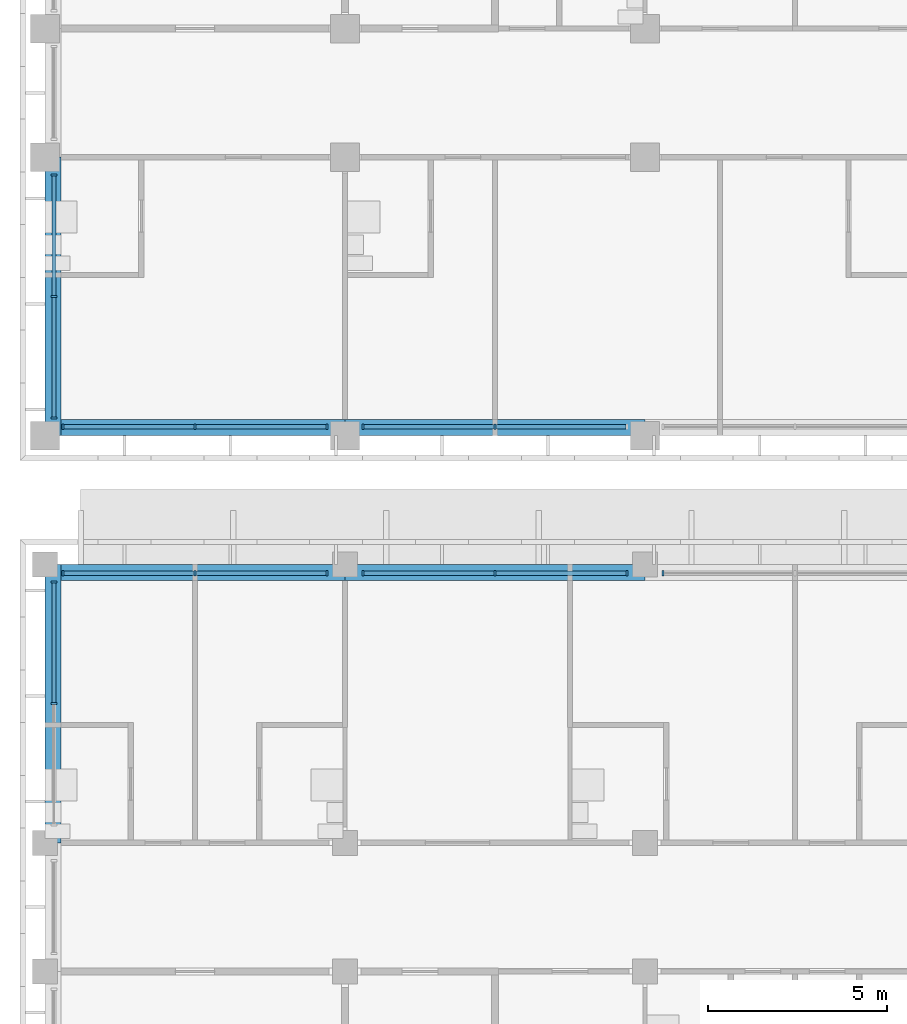
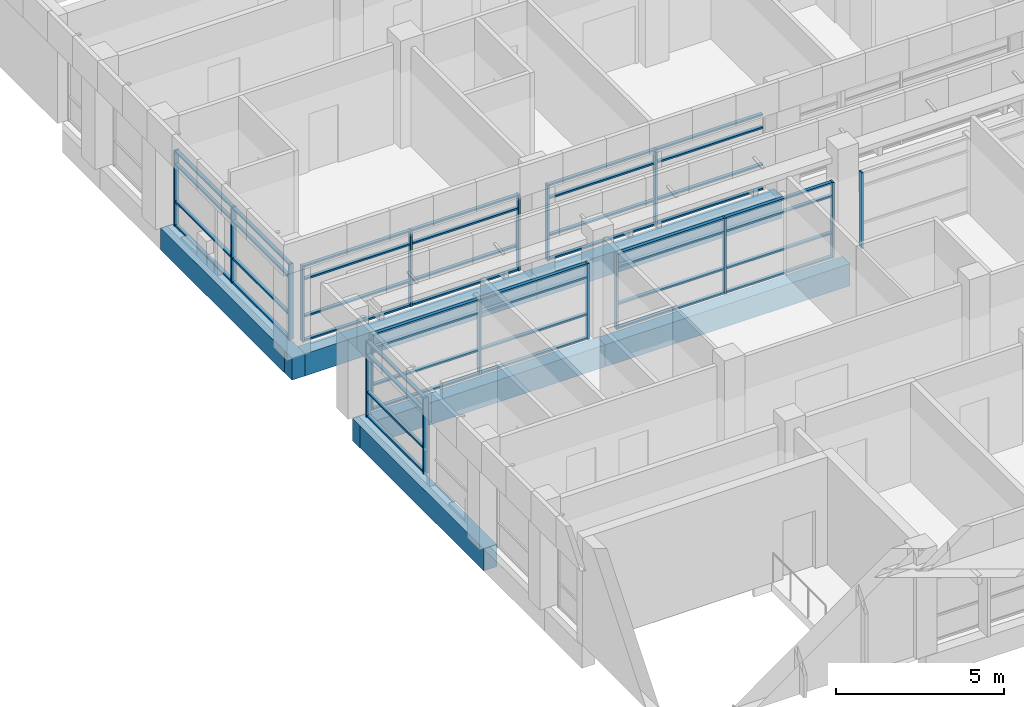
# One storey, part 4 of 71: 61 members, 6 beams, 7 elements without a shape of their own.
"""IFC4 building model written with IfcOpenShell, lengths in metres."""

from ifc_helpers import new_model, si_unit, direction, frame, origin, origin_2d, place, context, subcontext, project, spatial, rectangle, extrude, material, material_profile, profile_set, type_object, element, aggregate, save


model = new_model("IFC4")

# Units and contexts
model_context = context("Model", 3, precision=1e-05, world=origin(), true_north=direction((0.0, 1.0)))
body_context = subcontext(model_context, "Body", "Model", "MODEL_VIEW")
ifc_project = project(units=[si_unit("LENGTHUNIT", "METRE"), si_unit("AREAUNIT", "SQUARE_METRE"), si_unit("VOLUMEUNIT", "CUBIC_METRE"), si_unit("PLANEANGLEUNIT", "RADIAN"), si_unit("MASSUNIT", "GRAM", prefix="KILO")], contexts=[model_context])

# Site, building, storey
site_placement = place(None, origin())
site = spatial("IfcSite", under=ifc_project, at=site_placement, CompositionType="ELEMENT")
building_placement = place(site_placement, origin())
building = spatial("IfcBuilding", under=site, at=building_placement, Name="Bougainvillea Quay General Hospital", CompositionType="ELEMENT")
storey_placement = place(building_placement, frame((0.0, 0.0, 24.89990234375)))
storey = spatial("IfcBuildingStorey", under=building, at=storey_placement, Name="L05", CompositionType="ELEMENT", Elevation=24.89990234375)

# Curtain wall, members
ifc_material_1 = material(Name="Aluminium curtain wall system, powder-coated glazed", Category="aluminium")
curtain_wall_type_1 = type_object("IfcCurtainWallType", Name="Unitised curtain wall CW-3430", PredefinedType="NOTDEFINED", material=ifc_material_1)
curtain_wall_1_placement = place(storey_placement, origin())
curtain_wall_1 = element("IfcCurtainWall", 1, at=curtain_wall_1_placement, inside=storey, type_object=curtain_wall_type_1, Name="CW-4200 02", PredefinedType="NOTDEFINED")
ifc_material_2 = material(Name="Aluminium mullion, powder-coated charcoal", Category="aluminium")
ifc_material_profile_1 = material_profile(ifc_material_2, rectangle(XDim=0.159912109375, YDim=0.06005859375, at=origin_2d()))
ifc_profile_set_1 = profile_set([ifc_material_profile_1], Name="Aluminium mullion, powder-coated charcoal")
member_type_1 = type_object("IfcMemberType", Name="Curtain wall mullion 160x60", PredefinedType="MULLION", material=ifc_profile_set_1)
member_1_placement = place(storey_placement, frame((42.25, 147.699951171875, 0.0), z_axis=(0.0, 0.0, 1.0), x_axis=(1.0, 0.0, 0.0)))
member_1 = element("IfcMember", 2, at=member_1_placement, type_object=member_type_1, Name="CW-4200 mullion 1", PredefinedType="MULLION", context=body_context, shape_type="SweptSolid", body=[
    extrude(rectangle(XDim=0.159912109375, YDim=0.06005859375, at=origin_2d()), origin(), (0.0, 0.0, 1.0), 2.75),
])
member_2_placement = place(storey_placement, frame((42.25, 144.300048828125, 0.0), z_axis=(0.0, 0.0, 1.0), x_axis=(1.0, 0.0, 0.0)))
member_2 = element("IfcMember", 3, at=member_2_placement, type_object=member_type_1, Name="CW-4200 mullion 2", PredefinedType="MULLION", context=body_context, shape_type="SweptSolid", body=[
    extrude(rectangle(XDim=0.159912109375, YDim=0.06005859375, at=origin_2d()), origin(), (0.0, 0.0, 1.0), 2.75),
])
member_3_placement = place(storey_placement, frame((42.25, 140.89990234375, 0.0), z_axis=(0.0, 0.0, 1.0), x_axis=(1.0, 0.0, 0.0)))
member_3 = element("IfcMember", 4, at=member_3_placement, type_object=member_type_1, Name="CW-4200 mullion 3", PredefinedType="MULLION", context=body_context, shape_type="SweptSolid", body=[
    extrude(rectangle(XDim=0.159912109375, YDim=0.06005859375, at=origin_2d()), origin(), (0.0, 0.0, 1.0), 2.75),
])

curtain_wall_type_2 = type_object("IfcCurtainWallType", Name="Unitised curtain wall CW-3730", PredefinedType="NOTDEFINED", material=ifc_material_1)
curtain_wall_2_placement = place(storey_placement, origin())
curtain_wall_2 = element("IfcCurtainWall", 5, at=curtain_wall_2_placement, inside=storey, type_object=curtain_wall_type_2, Name="CW-4200 00", PredefinedType="NOTDEFINED")
member_4_placement = place(storey_placement, frame((42.5, 140.64990234375, 0.0), z_axis=(0.0, 0.0, 1.0), x_axis=(0.0, 1.0, 0.0)))
member_4 = element("IfcMember", 6, at=member_4_placement, type_object=member_type_1, Name="CW-4200 mullion 1", PredefinedType="MULLION", context=body_context, shape_type="SweptSolid", body=[
    extrude(rectangle(XDim=0.159912109375, YDim=0.06005859375, at=origin_2d()), origin(), (0.0, 0.0, 1.0), 2.75),
])
member_5_placement = place(storey_placement, frame((46.199951171875, 140.64990234375, 0.0), z_axis=(0.0, 0.0, 1.0), x_axis=(0.0, 1.0, 0.0)))
member_5 = element("IfcMember", 7, at=member_5_placement, type_object=member_type_1, Name="CW-4200 mullion 2", PredefinedType="MULLION", context=body_context, shape_type="SweptSolid", body=[
    extrude(rectangle(XDim=0.159912109375, YDim=0.06005859375, at=origin_2d()), origin(), (0.0, 0.0, 1.0), 2.75),
])
member_6_placement = place(storey_placement, frame((49.89990234375, 140.64990234375, 0.0), z_axis=(0.0, 0.0, 1.0), x_axis=(0.0, 1.0, 0.0)))
member_6 = element("IfcMember", 8, at=member_6_placement, type_object=member_type_1, Name="CW-4200 mullion 3", PredefinedType="MULLION", context=body_context, shape_type="SweptSolid", body=[
    extrude(rectangle(XDim=0.159912109375, YDim=0.06005859375, at=origin_2d()), origin(), (0.0, 0.0, 1.0), 2.75),
])

curtain_wall_3_placement = place(storey_placement, origin())
curtain_wall_3 = element("IfcCurtainWall", 9, at=curtain_wall_3_placement, inside=storey, type_object=curtain_wall_type_2, Name="CW-4200 01", PredefinedType="NOTDEFINED")
member_7_placement = place(storey_placement, frame((50.89990234375, 140.64990234375, 0.0), z_axis=(0.0, 0.0, 1.0), x_axis=(0.0, 1.0, 0.0)))
member_7 = element("IfcMember", 10, at=member_7_placement, type_object=member_type_1, Name="CW-4200 mullion 1", PredefinedType="MULLION", context=body_context, shape_type="SweptSolid", body=[
    extrude(rectangle(XDim=0.159912109375, YDim=0.06005859375, at=origin_2d()), origin(), (0.0, 0.0, 1.0), 2.75),
])
member_8_placement = place(storey_placement, frame((54.60009765625, 140.64990234375, 0.0), z_axis=(0.0, 0.0, 1.0), x_axis=(0.0, 1.0, 0.0)))
member_8 = element("IfcMember", 11, at=member_8_placement, type_object=member_type_1, Name="CW-4200 mullion 2", PredefinedType="MULLION", context=body_context, shape_type="SweptSolid", body=[
    extrude(rectangle(XDim=0.159912109375, YDim=0.06005859375, at=origin_2d()), origin(), (0.0, 0.0, 1.0), 2.75),
])

curtain_wall_4_placement = place(storey_placement, origin())
curtain_wall_4 = element("IfcCurtainWall", 12, at=curtain_wall_4_placement, inside=storey, type_object=curtain_wall_type_1, Name="CW-4200 00", PredefinedType="NOTDEFINED")
member_9_placement = place(storey_placement, frame((42.25, 136.300048828125, 0.0), z_axis=(0.0, 0.0, 1.0), x_axis=(1.0, 0.0, 0.0)))
member_9 = element("IfcMember", 13, at=member_9_placement, type_object=member_type_1, Name="CW-4200 mullion 1", PredefinedType="MULLION", context=body_context, shape_type="SweptSolid", body=[
    extrude(rectangle(XDim=0.159912109375, YDim=0.06005859375, at=origin_2d()), origin(), (0.0, 0.0, 1.0), 2.75),
])
member_10_placement = place(storey_placement, frame((42.25, 132.89990234375, 0.0), z_axis=(0.0, 0.0, 1.0), x_axis=(1.0, 0.0, 0.0)))
member_10 = element("IfcMember", 14, at=member_10_placement, type_object=member_type_1, Name="CW-4200 mullion 2", PredefinedType="MULLION", context=body_context, shape_type="SweptSolid", body=[
    extrude(rectangle(XDim=0.159912109375, YDim=0.06005859375, at=origin_2d()), origin(), (0.0, 0.0, 1.0), 2.75),
])

# Curtain wall, member
curtain_wall_5_placement = place(storey_placement, origin())
curtain_wall_5 = element("IfcCurtainWall", 15, at=curtain_wall_5_placement, inside=storey, type_object=curtain_wall_type_2, Name="CW-4200 00", PredefinedType="NOTDEFINED")
member_11_placement = place(storey_placement, frame((59.300048828125, 136.550048828125, 0.0), z_axis=(0.0, 0.0, 1.0), x_axis=(0.0, -1.0, 0.0)))
member_11 = element("IfcMember", 16, at=member_11_placement, type_object=member_type_1, Name="CW-4200 mullion 3", PredefinedType="MULLION", context=body_context, shape_type="SweptSolid", body=[
    extrude(rectangle(XDim=0.159912109375, YDim=0.06005859375, at=origin_2d()), origin(), (0.0, 0.0, 1.0), 2.75),
])
aggregate(curtain_wall_5, [member_11])

# Curtain wall, members
curtain_wall_6_placement = place(storey_placement, origin())
curtain_wall_6 = element("IfcCurtainWall", 17, at=curtain_wall_6_placement, inside=storey, type_object=curtain_wall_type_2, Name="CW-4200 01", PredefinedType="NOTDEFINED")
member_12_placement = place(storey_placement, frame((58.300048828125, 136.550048828125, 0.0), z_axis=(0.0, 0.0, 1.0), x_axis=(0.0, -1.0, 0.0)))
member_12 = element("IfcMember", 18, at=member_12_placement, type_object=member_type_1, Name="CW-4200 mullion 1", PredefinedType="MULLION", context=body_context, shape_type="SweptSolid", body=[
    extrude(rectangle(XDim=0.159912109375, YDim=0.06005859375, at=origin_2d()), origin(), (0.0, 0.0, 1.0), 2.75),
])
member_13_placement = place(storey_placement, frame((54.60009765625, 136.550048828125, 0.0), z_axis=(0.0, 0.0, 1.0), x_axis=(0.0, -1.0, 0.0)))
member_13 = element("IfcMember", 19, at=member_13_placement, type_object=member_type_1, Name="CW-4200 mullion 2", PredefinedType="MULLION", context=body_context, shape_type="SweptSolid", body=[
    extrude(rectangle(XDim=0.159912109375, YDim=0.06005859375, at=origin_2d()), origin(), (0.0, 0.0, 1.0), 2.75),
])
member_14_placement = place(storey_placement, frame((50.89990234375, 136.550048828125, 0.0), z_axis=(0.0, 0.0, 1.0), x_axis=(0.0, -1.0, 0.0)))
member_14 = element("IfcMember", 20, at=member_14_placement, type_object=member_type_1, Name="CW-4200 mullion 3", PredefinedType="MULLION", context=body_context, shape_type="SweptSolid", body=[
    extrude(rectangle(XDim=0.159912109375, YDim=0.06005859375, at=origin_2d()), origin(), (0.0, 0.0, 1.0), 2.75),
])

curtain_wall_7_placement = place(storey_placement, origin())
curtain_wall_7 = element("IfcCurtainWall", 21, at=curtain_wall_7_placement, inside=storey, type_object=curtain_wall_type_2, Name="CW-4200 02", PredefinedType="NOTDEFINED")
member_15_placement = place(storey_placement, frame((49.89990234375, 136.550048828125, 0.0), z_axis=(0.0, 0.0, 1.0), x_axis=(0.0, -1.0, 0.0)))
member_15 = element("IfcMember", 22, at=member_15_placement, type_object=member_type_1, Name="CW-4200 mullion 1", PredefinedType="MULLION", context=body_context, shape_type="SweptSolid", body=[
    extrude(rectangle(XDim=0.159912109375, YDim=0.06005859375, at=origin_2d()), origin(), (0.0, 0.0, 1.0), 2.75),
])
member_16_placement = place(storey_placement, frame((46.199951171875, 136.550048828125, 0.0), z_axis=(0.0, 0.0, 1.0), x_axis=(0.0, -1.0, 0.0)))
member_16 = element("IfcMember", 23, at=member_16_placement, type_object=member_type_1, Name="CW-4200 mullion 2", PredefinedType="MULLION", context=body_context, shape_type="SweptSolid", body=[
    extrude(rectangle(XDim=0.159912109375, YDim=0.06005859375, at=origin_2d()), origin(), (0.0, 0.0, 1.0), 2.75),
])
member_17_placement = place(storey_placement, frame((42.5, 136.550048828125, 0.0), z_axis=(0.0, 0.0, 1.0), x_axis=(0.0, -1.0, 0.0)))
member_17 = element("IfcMember", 24, at=member_17_placement, type_object=member_type_1, Name="CW-4200 mullion 3", PredefinedType="MULLION", context=body_context, shape_type="SweptSolid", body=[
    extrude(rectangle(XDim=0.159912109375, YDim=0.06005859375, at=origin_2d()), origin(), (0.0, 0.0, 1.0), 2.75),
])

# Member
ifc_material_3 = material(Name="Aluminium transom, powder-coated charcoal", Category="aluminium")
ifc_material_profile_2 = material_profile(ifc_material_3, rectangle(XDim=0.1201171875, YDim=0.06005859375, at=origin_2d()))
ifc_profile_set_2 = profile_set([ifc_material_profile_2], Name="Aluminium transom, powder-coated charcoal")
member_type_2 = type_object("IfcMemberType", Name="Curtain wall transom 120x60", PredefinedType="USERDEFINED", material=ifc_profile_set_2)
member_18_placement = place(storey_placement, frame((42.25, 147.669921875, 0.030029296875), z_axis=(0.0, -1.0, 0.0), x_axis=(1.0, 0.0, 0.0)))
member_18 = element("IfcMember", 25, at=member_18_placement, type_object=member_type_2, Name="CW-4200 transom 1.1", ObjectType="TRANSOM", PredefinedType="USERDEFINED", context=body_context, shape_type="SweptSolid", body=[
    extrude(rectangle(XDim=0.1201171875, YDim=0.06005859375, at=origin_2d()), origin(), (0.0, 0.0, 1.0), 3.33984375),
])

member_19_placement = place(storey_placement, frame((42.25, 147.669921875, 0.900146484375), z_axis=(0.0, -1.0, 0.0), x_axis=(1.0, 0.0, 0.0)))
member_19 = element("IfcMember", 26, at=member_19_placement, type_object=member_type_2, Name="CW-4200 transom 1.2", ObjectType="TRANSOM", PredefinedType="USERDEFINED", context=body_context, shape_type="SweptSolid", body=[
    extrude(rectangle(XDim=0.1201171875, YDim=0.06005859375, at=origin_2d()), origin(), (0.0, 0.0, 1.0), 3.33984375),
])

member_20_placement = place(storey_placement, frame((42.25, 147.669921875, 2.25), z_axis=(0.0, -1.0, 0.0), x_axis=(1.0, 0.0, 0.0)))
member_20 = element("IfcMember", 27, at=member_20_placement, type_object=member_type_2, Name="CW-4200 transom 1.3", ObjectType="TRANSOM", PredefinedType="USERDEFINED", context=body_context, shape_type="SweptSolid", body=[
    extrude(rectangle(XDim=0.1201171875, YDim=0.06005859375, at=origin_2d()), origin(), (0.0, 0.0, 1.0), 3.33984375),
])

member_21_placement = place(storey_placement, frame((42.25, 147.669921875, 2.72021484375), z_axis=(0.0, -1.0, 0.0), x_axis=(1.0, 0.0, 0.0)))
member_21 = element("IfcMember", 28, at=member_21_placement, type_object=member_type_2, Name="CW-4200 transom 1.4", ObjectType="TRANSOM", PredefinedType="USERDEFINED", context=body_context, shape_type="SweptSolid", body=[
    extrude(rectangle(XDim=0.1201171875, YDim=0.06005859375, at=origin_2d()), origin(), (0.0, 0.0, 1.0), 3.33984375),
])

member_22_placement = place(storey_placement, frame((42.25, 144.27001953125, 0.030029296875), z_axis=(0.0, -1.0, 0.0), x_axis=(1.0, 0.0, 0.0)))
member_22 = element("IfcMember", 29, at=member_22_placement, type_object=member_type_2, Name="CW-4200 transom 2.1", ObjectType="TRANSOM", PredefinedType="USERDEFINED", context=body_context, shape_type="SweptSolid", body=[
    extrude(rectangle(XDim=0.1201171875, YDim=0.06005859375, at=origin_2d()), origin(), (0.0, 0.0, 1.0), 3.340087890625),
])

member_23_placement = place(storey_placement, frame((42.25, 144.27001953125, 0.900146484375), z_axis=(0.0, -1.0, 0.0), x_axis=(1.0, 0.0, 0.0)))
member_23 = element("IfcMember", 30, at=member_23_placement, type_object=member_type_2, Name="CW-4200 transom 2.2", ObjectType="TRANSOM", PredefinedType="USERDEFINED", context=body_context, shape_type="SweptSolid", body=[
    extrude(rectangle(XDim=0.1201171875, YDim=0.06005859375, at=origin_2d()), origin(), (0.0, 0.0, 1.0), 3.340087890625),
])

member_24_placement = place(storey_placement, frame((42.25, 144.27001953125, 2.25), z_axis=(0.0, -1.0, 0.0), x_axis=(1.0, 0.0, 0.0)))
member_24 = element("IfcMember", 31, at=member_24_placement, type_object=member_type_2, Name="CW-4200 transom 2.3", ObjectType="TRANSOM", PredefinedType="USERDEFINED", context=body_context, shape_type="SweptSolid", body=[
    extrude(rectangle(XDim=0.1201171875, YDim=0.06005859375, at=origin_2d()), origin(), (0.0, 0.0, 1.0), 3.340087890625),
])

member_25_placement = place(storey_placement, frame((42.25, 144.27001953125, 2.72021484375), z_axis=(0.0, -1.0, 0.0), x_axis=(1.0, 0.0, 0.0)))
member_25 = element("IfcMember", 32, at=member_25_placement, type_object=member_type_2, Name="CW-4200 transom 2.4", ObjectType="TRANSOM", PredefinedType="USERDEFINED", context=body_context, shape_type="SweptSolid", body=[
    extrude(rectangle(XDim=0.1201171875, YDim=0.06005859375, at=origin_2d()), origin(), (0.0, 0.0, 1.0), 3.340087890625),
])

aggregate(curtain_wall_1, [member_1, member_2, member_3, member_18, member_19, member_20, member_21, member_22, member_23, member_24, member_25])

member_26_placement = place(storey_placement, frame((42.530029296875, 140.64990234375, 0.030029296875), z_axis=(1.0, 0.0, 0.0), x_axis=(0.0, 1.0, 0.0)))
member_26 = element("IfcMember", 33, at=member_26_placement, type_object=member_type_2, Name="CW-4200 transom 1.1", ObjectType="TRANSOM", PredefinedType="USERDEFINED", context=body_context, shape_type="SweptSolid", body=[
    extrude(rectangle(XDim=0.1201171875, YDim=0.06005859375, at=origin_2d()), origin(), (0.0, 0.0, 1.0), 3.639892578125),
])

member_27_placement = place(storey_placement, frame((42.530029296875, 140.64990234375, 0.900146484375), z_axis=(1.0, 0.0, 0.0), x_axis=(0.0, 1.0, 0.0)))
member_27 = element("IfcMember", 34, at=member_27_placement, type_object=member_type_2, Name="CW-4200 transom 1.2", ObjectType="TRANSOM", PredefinedType="USERDEFINED", context=body_context, shape_type="SweptSolid", body=[
    extrude(rectangle(XDim=0.1201171875, YDim=0.06005859375, at=origin_2d()), origin(), (0.0, 0.0, 1.0), 3.639892578125),
])

member_28_placement = place(storey_placement, frame((42.530029296875, 140.64990234375, 2.25), z_axis=(1.0, 0.0, 0.0), x_axis=(0.0, 1.0, 0.0)))
member_28 = element("IfcMember", 35, at=member_28_placement, type_object=member_type_2, Name="CW-4200 transom 1.3", ObjectType="TRANSOM", PredefinedType="USERDEFINED", context=body_context, shape_type="SweptSolid", body=[
    extrude(rectangle(XDim=0.1201171875, YDim=0.06005859375, at=origin_2d()), origin(), (0.0, 0.0, 1.0), 3.639892578125),
])

member_29_placement = place(storey_placement, frame((42.530029296875, 140.64990234375, 2.72021484375), z_axis=(1.0, 0.0, 0.0), x_axis=(0.0, 1.0, 0.0)))
member_29 = element("IfcMember", 36, at=member_29_placement, type_object=member_type_2, Name="CW-4200 transom 1.4", ObjectType="TRANSOM", PredefinedType="USERDEFINED", context=body_context, shape_type="SweptSolid", body=[
    extrude(rectangle(XDim=0.1201171875, YDim=0.06005859375, at=origin_2d()), origin(), (0.0, 0.0, 1.0), 3.639892578125),
])

member_30_placement = place(storey_placement, frame((46.22998046875, 140.64990234375, 0.030029296875), z_axis=(1.0, 0.0, 0.0), x_axis=(0.0, 1.0, 0.0)))
member_30 = element("IfcMember", 37, at=member_30_placement, type_object=member_type_2, Name="CW-4200 transom 2.1", ObjectType="TRANSOM", PredefinedType="USERDEFINED", context=body_context, shape_type="SweptSolid", body=[
    extrude(rectangle(XDim=0.1201171875, YDim=0.06005859375, at=origin_2d()), origin(), (0.0, 0.0, 1.0), 3.64013671875),
])

member_31_placement = place(storey_placement, frame((46.22998046875, 140.64990234375, 0.900146484375), z_axis=(1.0, 0.0, 0.0), x_axis=(0.0, 1.0, 0.0)))
member_31 = element("IfcMember", 38, at=member_31_placement, type_object=member_type_2, Name="CW-4200 transom 2.2", ObjectType="TRANSOM", PredefinedType="USERDEFINED", context=body_context, shape_type="SweptSolid", body=[
    extrude(rectangle(XDim=0.1201171875, YDim=0.06005859375, at=origin_2d()), origin(), (0.0, 0.0, 1.0), 3.64013671875),
])

member_32_placement = place(storey_placement, frame((46.22998046875, 140.64990234375, 2.25), z_axis=(1.0, 0.0, 0.0), x_axis=(0.0, 1.0, 0.0)))
member_32 = element("IfcMember", 39, at=member_32_placement, type_object=member_type_2, Name="CW-4200 transom 2.3", ObjectType="TRANSOM", PredefinedType="USERDEFINED", context=body_context, shape_type="SweptSolid", body=[
    extrude(rectangle(XDim=0.1201171875, YDim=0.06005859375, at=origin_2d()), origin(), (0.0, 0.0, 1.0), 3.64013671875),
])

member_33_placement = place(storey_placement, frame((46.22998046875, 140.64990234375, 2.72021484375), z_axis=(1.0, 0.0, 0.0), x_axis=(0.0, 1.0, 0.0)))
member_33 = element("IfcMember", 40, at=member_33_placement, type_object=member_type_2, Name="CW-4200 transom 2.4", ObjectType="TRANSOM", PredefinedType="USERDEFINED", context=body_context, shape_type="SweptSolid", body=[
    extrude(rectangle(XDim=0.1201171875, YDim=0.06005859375, at=origin_2d()), origin(), (0.0, 0.0, 1.0), 3.64013671875),
])

aggregate(curtain_wall_2, [member_4, member_5, member_6, member_26, member_27, member_28, member_29, member_30, member_31, member_32, member_33])

member_34_placement = place(storey_placement, frame((50.929931640625, 140.64990234375, 0.030029296875), z_axis=(1.0, 0.0, 0.0), x_axis=(0.0, 1.0, 0.0)))
member_34 = element("IfcMember", 41, at=member_34_placement, type_object=member_type_2, Name="CW-4200 transom 1.1", ObjectType="TRANSOM", PredefinedType="USERDEFINED", context=body_context, shape_type="SweptSolid", body=[
    extrude(rectangle(XDim=0.1201171875, YDim=0.06005859375, at=origin_2d()), origin(), (0.0, 0.0, 1.0), 3.64013671875),
])

member_35_placement = place(storey_placement, frame((50.929931640625, 140.64990234375, 0.900146484375), z_axis=(1.0, 0.0, 0.0), x_axis=(0.0, 1.0, 0.0)))
member_35 = element("IfcMember", 42, at=member_35_placement, type_object=member_type_2, Name="CW-4200 transom 1.2", ObjectType="TRANSOM", PredefinedType="USERDEFINED", context=body_context, shape_type="SweptSolid", body=[
    extrude(rectangle(XDim=0.1201171875, YDim=0.06005859375, at=origin_2d()), origin(), (0.0, 0.0, 1.0), 3.64013671875),
])

member_36_placement = place(storey_placement, frame((50.929931640625, 140.64990234375, 2.25), z_axis=(1.0, 0.0, 0.0), x_axis=(0.0, 1.0, 0.0)))
member_36 = element("IfcMember", 43, at=member_36_placement, type_object=member_type_2, Name="CW-4200 transom 1.3", ObjectType="TRANSOM", PredefinedType="USERDEFINED", context=body_context, shape_type="SweptSolid", body=[
    extrude(rectangle(XDim=0.1201171875, YDim=0.06005859375, at=origin_2d()), origin(), (0.0, 0.0, 1.0), 3.64013671875),
])

member_37_placement = place(storey_placement, frame((50.929931640625, 140.64990234375, 2.72021484375), z_axis=(1.0, 0.0, 0.0), x_axis=(0.0, 1.0, 0.0)))
member_37 = element("IfcMember", 44, at=member_37_placement, type_object=member_type_2, Name="CW-4200 transom 1.4", ObjectType="TRANSOM", PredefinedType="USERDEFINED", context=body_context, shape_type="SweptSolid", body=[
    extrude(rectangle(XDim=0.1201171875, YDim=0.06005859375, at=origin_2d()), origin(), (0.0, 0.0, 1.0), 3.64013671875),
])

member_38_placement = place(storey_placement, frame((54.6298828125, 140.64990234375, 0.030029296875), z_axis=(1.0, 0.0, 0.0), x_axis=(0.0, 1.0, 0.0)))
member_38 = element("IfcMember", 45, at=member_38_placement, type_object=member_type_2, Name="CW-4200 transom 2.1", ObjectType="TRANSOM", PredefinedType="USERDEFINED", context=body_context, shape_type="SweptSolid", body=[
    extrude(rectangle(XDim=0.1201171875, YDim=0.06005859375, at=origin_2d()), origin(), (0.0, 0.0, 1.0), 3.64013671875),
])

member_39_placement = place(storey_placement, frame((54.6298828125, 140.64990234375, 0.900146484375), z_axis=(1.0, 0.0, 0.0), x_axis=(0.0, 1.0, 0.0)))
member_39 = element("IfcMember", 46, at=member_39_placement, type_object=member_type_2, Name="CW-4200 transom 2.2", ObjectType="TRANSOM", PredefinedType="USERDEFINED", context=body_context, shape_type="SweptSolid", body=[
    extrude(rectangle(XDim=0.1201171875, YDim=0.06005859375, at=origin_2d()), origin(), (0.0, 0.0, 1.0), 3.64013671875),
])

member_40_placement = place(storey_placement, frame((54.6298828125, 140.64990234375, 2.25), z_axis=(1.0, 0.0, 0.0), x_axis=(0.0, 1.0, 0.0)))
member_40 = element("IfcMember", 47, at=member_40_placement, type_object=member_type_2, Name="CW-4200 transom 2.3", ObjectType="TRANSOM", PredefinedType="USERDEFINED", context=body_context, shape_type="SweptSolid", body=[
    extrude(rectangle(XDim=0.1201171875, YDim=0.06005859375, at=origin_2d()), origin(), (0.0, 0.0, 1.0), 3.64013671875),
])

member_41_placement = place(storey_placement, frame((54.6298828125, 140.64990234375, 2.72021484375), z_axis=(1.0, 0.0, 0.0), x_axis=(0.0, 1.0, 0.0)))
member_41 = element("IfcMember", 48, at=member_41_placement, type_object=member_type_2, Name="CW-4200 transom 2.4", ObjectType="TRANSOM", PredefinedType="USERDEFINED", context=body_context, shape_type="SweptSolid", body=[
    extrude(rectangle(XDim=0.1201171875, YDim=0.06005859375, at=origin_2d()), origin(), (0.0, 0.0, 1.0), 3.64013671875),
])

aggregate(curtain_wall_3, [member_7, member_8, member_34, member_35, member_36, member_37, member_38, member_39, member_40, member_41])

member_42_placement = place(storey_placement, frame((42.25, 136.27001953125, 0.030029296875), z_axis=(0.0, -1.0, 0.0), x_axis=(1.0, 0.0, 0.0)))
member_42 = element("IfcMember", 49, at=member_42_placement, type_object=member_type_2, Name="CW-4200 transom 1.1", ObjectType="TRANSOM", PredefinedType="USERDEFINED", context=body_context, shape_type="SweptSolid", body=[
    extrude(rectangle(XDim=0.1201171875, YDim=0.06005859375, at=origin_2d()), origin(), (0.0, 0.0, 1.0), 3.340087890625),
])

member_43_placement = place(storey_placement, frame((42.25, 136.27001953125, 0.900146484375), z_axis=(0.0, -1.0, 0.0), x_axis=(1.0, 0.0, 0.0)))
member_43 = element("IfcMember", 50, at=member_43_placement, type_object=member_type_2, Name="CW-4200 transom 1.2", ObjectType="TRANSOM", PredefinedType="USERDEFINED", context=body_context, shape_type="SweptSolid", body=[
    extrude(rectangle(XDim=0.1201171875, YDim=0.06005859375, at=origin_2d()), origin(), (0.0, 0.0, 1.0), 3.340087890625),
])

member_44_placement = place(storey_placement, frame((42.25, 136.27001953125, 2.25), z_axis=(0.0, -1.0, 0.0), x_axis=(1.0, 0.0, 0.0)))
member_44 = element("IfcMember", 51, at=member_44_placement, type_object=member_type_2, Name="CW-4200 transom 1.3", ObjectType="TRANSOM", PredefinedType="USERDEFINED", context=body_context, shape_type="SweptSolid", body=[
    extrude(rectangle(XDim=0.1201171875, YDim=0.06005859375, at=origin_2d()), origin(), (0.0, 0.0, 1.0), 3.340087890625),
])

member_45_placement = place(storey_placement, frame((42.25, 136.27001953125, 2.72021484375), z_axis=(0.0, -1.0, 0.0), x_axis=(1.0, 0.0, 0.0)))
member_45 = element("IfcMember", 52, at=member_45_placement, type_object=member_type_2, Name="CW-4200 transom 1.4", ObjectType="TRANSOM", PredefinedType="USERDEFINED", context=body_context, shape_type="SweptSolid", body=[
    extrude(rectangle(XDim=0.1201171875, YDim=0.06005859375, at=origin_2d()), origin(), (0.0, 0.0, 1.0), 3.340087890625),
])

aggregate(curtain_wall_4, [member_9, member_10, member_42, member_43, member_44, member_45])

member_46_placement = place(storey_placement, frame((58.27001953125, 136.550048828125, 0.030029296875), z_axis=(-1.0, 0.0, 0.0), x_axis=(0.0, -1.0, 0.0)))
member_46 = element("IfcMember", 53, at=member_46_placement, type_object=member_type_2, Name="CW-4200 transom 1.1", ObjectType="TRANSOM", PredefinedType="USERDEFINED", context=body_context, shape_type="SweptSolid", body=[
    extrude(rectangle(XDim=0.1201171875, YDim=0.06005859375, at=origin_2d()), origin(), (0.0, 0.0, 1.0), 3.64013671875),
])

member_47_placement = place(storey_placement, frame((58.27001953125, 136.550048828125, 0.900146484375), z_axis=(-1.0, 0.0, 0.0), x_axis=(0.0, -1.0, 0.0)))
member_47 = element("IfcMember", 54, at=member_47_placement, type_object=member_type_2, Name="CW-4200 transom 1.2", ObjectType="TRANSOM", PredefinedType="USERDEFINED", context=body_context, shape_type="SweptSolid", body=[
    extrude(rectangle(XDim=0.1201171875, YDim=0.06005859375, at=origin_2d()), origin(), (0.0, 0.0, 1.0), 3.64013671875),
])

member_48_placement = place(storey_placement, frame((58.27001953125, 136.550048828125, 2.25), z_axis=(-1.0, 0.0, 0.0), x_axis=(0.0, -1.0, 0.0)))
member_48 = element("IfcMember", 55, at=member_48_placement, type_object=member_type_2, Name="CW-4200 transom 1.3", ObjectType="TRANSOM", PredefinedType="USERDEFINED", context=body_context, shape_type="SweptSolid", body=[
    extrude(rectangle(XDim=0.1201171875, YDim=0.06005859375, at=origin_2d()), origin(), (0.0, 0.0, 1.0), 3.64013671875),
])

member_49_placement = place(storey_placement, frame((58.27001953125, 136.550048828125, 2.72021484375), z_axis=(-1.0, 0.0, 0.0), x_axis=(0.0, -1.0, 0.0)))
member_49 = element("IfcMember", 56, at=member_49_placement, type_object=member_type_2, Name="CW-4200 transom 1.4", ObjectType="TRANSOM", PredefinedType="USERDEFINED", context=body_context, shape_type="SweptSolid", body=[
    extrude(rectangle(XDim=0.1201171875, YDim=0.06005859375, at=origin_2d()), origin(), (0.0, 0.0, 1.0), 3.64013671875),
])

member_50_placement = place(storey_placement, frame((54.570068359375, 136.550048828125, 0.030029296875), z_axis=(-1.0, 0.0, 0.0), x_axis=(0.0, -1.0, 0.0)))
member_50 = element("IfcMember", 57, at=member_50_placement, type_object=member_type_2, Name="CW-4200 transom 2.1", ObjectType="TRANSOM", PredefinedType="USERDEFINED", context=body_context, shape_type="SweptSolid", body=[
    extrude(rectangle(XDim=0.1201171875, YDim=0.06005859375, at=origin_2d()), origin(), (0.0, 0.0, 1.0), 3.64013671875),
])

member_51_placement = place(storey_placement, frame((54.570068359375, 136.550048828125, 0.900146484375), z_axis=(-1.0, 0.0, 0.0), x_axis=(0.0, -1.0, 0.0)))
member_51 = element("IfcMember", 58, at=member_51_placement, type_object=member_type_2, Name="CW-4200 transom 2.2", ObjectType="TRANSOM", PredefinedType="USERDEFINED", context=body_context, shape_type="SweptSolid", body=[
    extrude(rectangle(XDim=0.1201171875, YDim=0.06005859375, at=origin_2d()), origin(), (0.0, 0.0, 1.0), 3.64013671875),
])

member_52_placement = place(storey_placement, frame((54.570068359375, 136.550048828125, 2.25), z_axis=(-1.0, 0.0, 0.0), x_axis=(0.0, -1.0, 0.0)))
member_52 = element("IfcMember", 59, at=member_52_placement, type_object=member_type_2, Name="CW-4200 transom 2.3", ObjectType="TRANSOM", PredefinedType="USERDEFINED", context=body_context, shape_type="SweptSolid", body=[
    extrude(rectangle(XDim=0.1201171875, YDim=0.06005859375, at=origin_2d()), origin(), (0.0, 0.0, 1.0), 3.64013671875),
])

member_53_placement = place(storey_placement, frame((54.570068359375, 136.550048828125, 2.72021484375), z_axis=(-1.0, 0.0, 0.0), x_axis=(0.0, -1.0, 0.0)))
member_53 = element("IfcMember", 60, at=member_53_placement, type_object=member_type_2, Name="CW-4200 transom 2.4", ObjectType="TRANSOM", PredefinedType="USERDEFINED", context=body_context, shape_type="SweptSolid", body=[
    extrude(rectangle(XDim=0.1201171875, YDim=0.06005859375, at=origin_2d()), origin(), (0.0, 0.0, 1.0), 3.64013671875),
])

aggregate(curtain_wall_6, [member_12, member_13, member_14, member_46, member_47, member_48, member_49, member_50, member_51, member_52, member_53])

member_54_placement = place(storey_placement, frame((49.8701171875, 136.550048828125, 0.030029296875), z_axis=(-1.0, 0.0, 0.0), x_axis=(0.0, -1.0, 0.0)))
member_54 = element("IfcMember", 61, at=member_54_placement, type_object=member_type_2, Name="CW-4200 transom 1.1", ObjectType="TRANSOM", PredefinedType="USERDEFINED", context=body_context, shape_type="SweptSolid", body=[
    extrude(rectangle(XDim=0.1201171875, YDim=0.06005859375, at=origin_2d()), origin(), (0.0, 0.0, 1.0), 3.64013671875),
])

member_55_placement = place(storey_placement, frame((49.8701171875, 136.550048828125, 0.900146484375), z_axis=(-1.0, 0.0, 0.0), x_axis=(0.0, -1.0, 0.0)))
member_55 = element("IfcMember", 62, at=member_55_placement, type_object=member_type_2, Name="CW-4200 transom 1.2", ObjectType="TRANSOM", PredefinedType="USERDEFINED", context=body_context, shape_type="SweptSolid", body=[
    extrude(rectangle(XDim=0.1201171875, YDim=0.06005859375, at=origin_2d()), origin(), (0.0, 0.0, 1.0), 3.64013671875),
])

member_56_placement = place(storey_placement, frame((49.8701171875, 136.550048828125, 2.25), z_axis=(-1.0, 0.0, 0.0), x_axis=(0.0, -1.0, 0.0)))
member_56 = element("IfcMember", 63, at=member_56_placement, type_object=member_type_2, Name="CW-4200 transom 1.3", ObjectType="TRANSOM", PredefinedType="USERDEFINED", context=body_context, shape_type="SweptSolid", body=[
    extrude(rectangle(XDim=0.1201171875, YDim=0.06005859375, at=origin_2d()), origin(), (0.0, 0.0, 1.0), 3.64013671875),
])

member_57_placement = place(storey_placement, frame((49.8701171875, 136.550048828125, 2.72021484375), z_axis=(-1.0, 0.0, 0.0), x_axis=(0.0, -1.0, 0.0)))
member_57 = element("IfcMember", 64, at=member_57_placement, type_object=member_type_2, Name="CW-4200 transom 1.4", ObjectType="TRANSOM", PredefinedType="USERDEFINED", context=body_context, shape_type="SweptSolid", body=[
    extrude(rectangle(XDim=0.1201171875, YDim=0.06005859375, at=origin_2d()), origin(), (0.0, 0.0, 1.0), 3.64013671875),
])

member_58_placement = place(storey_placement, frame((46.169921875, 136.550048828125, 0.030029296875), z_axis=(-1.0, 0.0, 0.0), x_axis=(0.0, -1.0, 0.0)))
member_58 = element("IfcMember", 65, at=member_58_placement, type_object=member_type_2, Name="CW-4200 transom 2.1", ObjectType="TRANSOM", PredefinedType="USERDEFINED", context=body_context, shape_type="SweptSolid", body=[
    extrude(rectangle(XDim=0.1201171875, YDim=0.06005859375, at=origin_2d()), origin(), (0.0, 0.0, 1.0), 3.639892578125),
])

member_59_placement = place(storey_placement, frame((46.169921875, 136.550048828125, 0.900146484375), z_axis=(-1.0, 0.0, 0.0), x_axis=(0.0, -1.0, 0.0)))
member_59 = element("IfcMember", 66, at=member_59_placement, type_object=member_type_2, Name="CW-4200 transom 2.2", ObjectType="TRANSOM", PredefinedType="USERDEFINED", context=body_context, shape_type="SweptSolid", body=[
    extrude(rectangle(XDim=0.1201171875, YDim=0.06005859375, at=origin_2d()), origin(), (0.0, 0.0, 1.0), 3.639892578125),
])

member_60_placement = place(storey_placement, frame((46.169921875, 136.550048828125, 2.25), z_axis=(-1.0, 0.0, 0.0), x_axis=(0.0, -1.0, 0.0)))
member_60 = element("IfcMember", 67, at=member_60_placement, type_object=member_type_2, Name="CW-4200 transom 2.3", ObjectType="TRANSOM", PredefinedType="USERDEFINED", context=body_context, shape_type="SweptSolid", body=[
    extrude(rectangle(XDim=0.1201171875, YDim=0.06005859375, at=origin_2d()), origin(), (0.0, 0.0, 1.0), 3.639892578125),
])

member_61_placement = place(storey_placement, frame((46.169921875, 136.550048828125, 2.72021484375), z_axis=(-1.0, 0.0, 0.0), x_axis=(0.0, -1.0, 0.0)))
member_61 = element("IfcMember", 68, at=member_61_placement, type_object=member_type_2, Name="CW-4200 transom 2.4", ObjectType="TRANSOM", PredefinedType="USERDEFINED", context=body_context, shape_type="SweptSolid", body=[
    extrude(rectangle(XDim=0.1201171875, YDim=0.06005859375, at=origin_2d()), origin(), (0.0, 0.0, 1.0), 3.639892578125),
])

aggregate(curtain_wall_7, [member_15, member_16, member_17, member_54, member_55, member_56, member_57, member_58, member_59, member_60, member_61])

# Beams
ifc_material_4 = material(Name="Concrete C40", Category="concrete")
ifc_material_profile_3 = material_profile(ifc_material_4, rectangle(XDim=0.449951171875, YDim=0.800048828125, at=origin_2d()))
ifc_profile_set_3 = profile_set([ifc_material_profile_3], Name="Concrete C40")
beam_type = type_object("IfcBeamType", Name="RC BEAM 450x800 C40", PredefinedType="BEAM", material=ifc_profile_set_3)
beam_1_placement = place(storey_placement, frame((42.22509765625, 148.199951171875, -0.699951171875), z_axis=(0.0, -1.0, 0.0), x_axis=(1.0, 0.0, 0.0)))
element("IfcBeam", 69, at=beam_1_placement, inside=storey, type_object=beam_type, Name="Edge beam L05", PredefinedType="BEAM", context=body_context, shape_type="SweptSolid", body=[
    extrude(rectangle(XDim=0.449951171875, YDim=0.800048828125, at=origin_2d()), origin(), (0.0, 0.0, 1.0), 7.800048828125),
])
beam_2_placement = place(storey_placement, frame((42.0, 140.625, -0.699951171875), z_axis=(1.0, 0.0, 0.0), x_axis=(0.0, 1.0, 0.0)))
element("IfcBeam", 70, at=beam_2_placement, inside=storey, type_object=beam_type, Name="Edge beam L05", PredefinedType="BEAM", context=body_context, shape_type="SweptSolid", body=[
    extrude(rectangle(XDim=0.449951171875, YDim=0.800048828125, at=origin_2d()), origin(), (0.0, 0.0, 1.0), 8.39990234375),
])
beam_3_placement = place(storey_placement, frame((50.39990234375, 140.625, -0.699951171875), z_axis=(1.0, 0.0, 0.0), x_axis=(0.0, 1.0, 0.0)))
element("IfcBeam", 71, at=beam_3_placement, inside=storey, type_object=beam_type, Name="Edge beam L05", PredefinedType="BEAM", context=body_context, shape_type="SweptSolid", body=[
    extrude(rectangle(XDim=0.449951171875, YDim=0.800048828125, at=origin_2d()), origin(), (0.0, 0.0, 1.0), 8.400146484375),
])
beam_4_placement = place(storey_placement, frame((42.22509765625, 136.800048828125, -0.699951171875), z_axis=(0.0, -1.0, 0.0), x_axis=(1.0, 0.0, 0.0)))
element("IfcBeam", 72, at=beam_4_placement, inside=storey, type_object=beam_type, Name="Edge beam L05", PredefinedType="BEAM", context=body_context, shape_type="SweptSolid", body=[
    extrude(rectangle(XDim=0.449951171875, YDim=0.800048828125, at=origin_2d()), origin(), (0.0, 0.0, 1.0), 7.800048828125),
])
beam_5_placement = place(storey_placement, frame((58.800048828125, 136.574951171875, -0.699951171875), z_axis=(-1.0, 0.0, 0.0), x_axis=(0.0, -1.0, 0.0)))
element("IfcBeam", 73, at=beam_5_placement, inside=storey, type_object=beam_type, Name="Edge beam L05", PredefinedType="BEAM", context=body_context, shape_type="SweptSolid", body=[
    extrude(rectangle(XDim=0.449951171875, YDim=0.800048828125, at=origin_2d()), origin(), (0.0, 0.0, 1.0), 8.400146484375),
])
beam_6_placement = place(storey_placement, frame((50.39990234375, 136.574951171875, -0.699951171875), z_axis=(-1.0, 0.0, 0.0), x_axis=(0.0, -1.0, 0.0)))
element("IfcBeam", 74, at=beam_6_placement, inside=storey, type_object=beam_type, Name="Edge beam L05", PredefinedType="BEAM", context=body_context, shape_type="SweptSolid", body=[
    extrude(rectangle(XDim=0.449951171875, YDim=0.800048828125, at=origin_2d()), origin(), (0.0, 0.0, 1.0), 8.39990234375),
])

save(model, "model.ifc")
